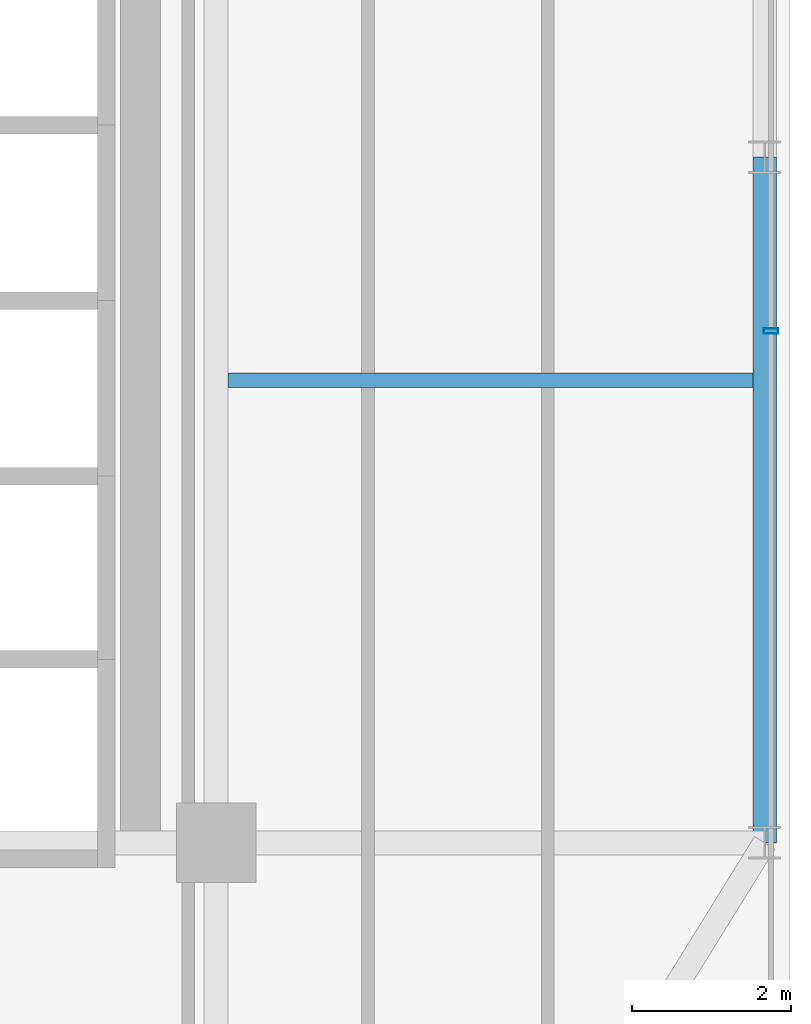
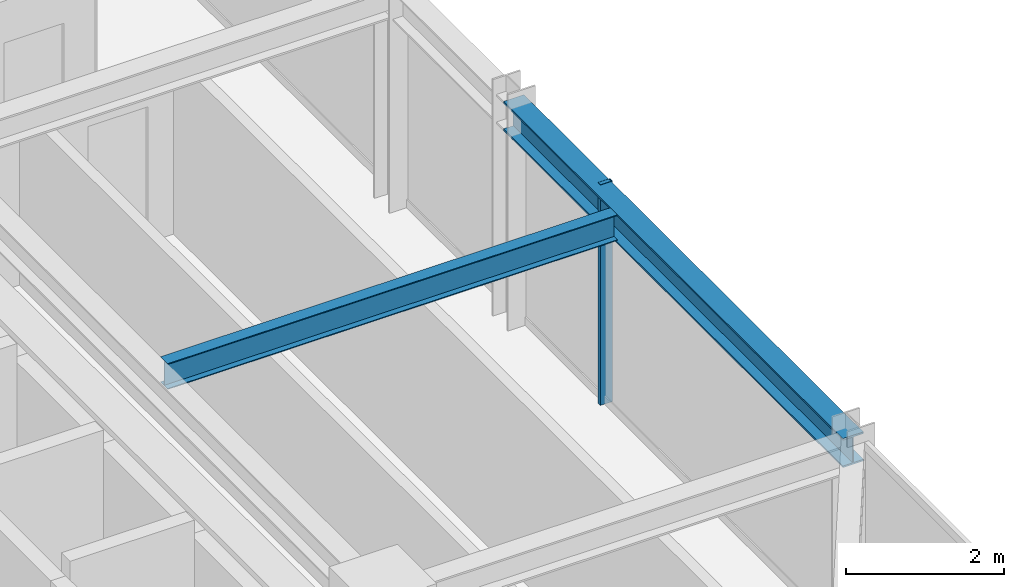
# One storey, part 15 of 36: 2 beams, 1 member, 1 element without a shape of its own.
"""IFC4 building model written with IfcOpenShell, lengths in metres."""

from ifc_helpers import new_model, si_unit, direction, frame, origin, origin_2d, place, context, subcontext, project, spatial, hollow_rectangle, i_section, extrude, source, transform, mapped, material, material_profile, profile_set, type_object, element, aggregate, save


model = new_model("IFC4")

# Units and contexts
model_context = context("Model", 3, precision=1e-05, world=origin(), true_north=direction((0.0, 1.0)))
body_context = subcontext(model_context, "Body", "Model", "MODEL_VIEW")
ifc_project = project(units=[si_unit("LENGTHUNIT", "METRE"), si_unit("AREAUNIT", "SQUARE_METRE"), si_unit("VOLUMEUNIT", "CUBIC_METRE"), si_unit("PLANEANGLEUNIT", "RADIAN"), si_unit("MASSUNIT", "GRAM", prefix="KILO")], contexts=[model_context])

# Site, building, storey
site_placement = place(None, origin())
site = spatial("IfcSite", under=ifc_project, at=site_placement, CompositionType="ELEMENT")
building_placement = place(site_placement, origin())
building = spatial("IfcBuilding", under=site, at=building_placement, Name="Nahalor Promenade Grand Hotel", CompositionType="ELEMENT")
storey_placement = place(building_placement, frame((0.0, 0.0, 212.300048828125)))
storey = spatial("IfcBuildingStorey", under=building, at=storey_placement, Name="L54", CompositionType="ELEMENT", Elevation=212.300048828125)

# Beams
ifc_material_1 = material(Name="Steel S355JR", Category="steel")
ifc_material_profile_1 = material_profile(ifc_material_1, i_section(OverallWidth=0.3, OverallDepth=0.45, WebThickness=0.014, FlangeThickness=0.026, at=origin_2d()), Name="HEB 450")
ifc_profile_set_1 = profile_set([ifc_material_profile_1], Name="Steel S355JR")
beam_type_1 = type_object("IfcBeamType", Name="Beam-Spandrel-HEB450", PredefinedType="SPANDREL", material=ifc_profile_set_1)
shared_shape_1 = source(origin(), body_context, "Body", "SweptSolid", [
    extrude(i_section(OverallWidth=0.3, OverallDepth=0.45, WebThickness=0.014, FlangeThickness=0.026, at=origin_2d()), origin(), (0.0, 0.0, 1.0), 8.60009765625),
])
beam_1_placement = place(storey_placement, frame((23.8798828125, -17.0, 3.18505859375), z_axis=(0.0, 1.0, 0.0), x_axis=(-1.0, 0.0, 0.0)))
element("IfcBeam", 1, at=beam_1_placement, inside=storey, type_object=beam_type_1, Name="BM-L54-SP-E-0", PredefinedType="SPANDREL", context=body_context, shape_type="MappedRepresentation", body=[
    mapped(shared_shape_1, transform((0.0, 0.0, 0.0), scale=1.0)),
])
ifc_material_profile_2 = material_profile(ifc_material_1, i_section(OverallWidth=0.18, OverallDepth=0.4, WebThickness=0.0086, FlangeThickness=0.0135, at=origin_2d()), Name="IPE 400")
ifc_profile_set_2 = profile_set([ifc_material_profile_2], Name="Steel S355JR")
beam_type_2 = type_object("IfcBeamType", Name="Beam-Joist-IPE400", PredefinedType="JOIST", material=ifc_profile_set_2)
shared_shape_2 = source(origin(), body_context, "Body", "SweptSolid", [
    extrude(i_section(OverallWidth=0.18, OverallDepth=0.4, WebThickness=0.0086, FlangeThickness=0.0135, at=origin_2d()), origin(), (0.0, 0.0, 1.0), 6.580078125),
])
beam_2_placement = place(storey_placement, frame((17.14990234375, -11.199951171875, 3.2099609375), z_axis=(1.0, 0.0, 0.0), x_axis=(0.0, 1.0, 0.0)))
element("IfcBeam", 2, at=beam_2_placement, inside=storey, type_object=beam_type_2, Name="BM-L54-JSE-0-2", PredefinedType="JOIST", context=body_context, shape_type="MappedRepresentation", body=[
    mapped(shared_shape_2, transform((0.0, 0.0, 0.0), scale=1.0)),
])

# Curtain wall, member
ifc_material_2 = material(Name="Anodised Bronze Aluminium EN AW-6063 T6", Category="aluminium")
curtain_wall_type = type_object("IfcCurtainWallType", Name="CW2 Typical Hotel Flush Bronze Unitised Curtain Wall", PredefinedType="USERDEFINED", material=ifc_material_2)
curtain_wall_placement = place(storey_placement, origin())
curtain_wall = element("IfcCurtainWall", 3, at=curtain_wall_placement, inside=storey, type_object=curtain_wall_type, Name="L54 Curtain Wall CW-L54-E-1", ObjectType="UNITISED_CURTAIN_WALL", PredefinedType="USERDEFINED")
ifc_material_profile_3 = material_profile(ifc_material_2, hollow_rectangle(XDim=0.065, YDim=0.18, WallThickness=0.004, at=origin_2d()), Name="CWM 65x180x4")
ifc_profile_set_3 = profile_set([ifc_material_profile_3], Name="Anodised Bronze Aluminium EN AW-6063 T6")
member_type = type_object("IfcMemberType", Name="CWM2 Typical Bronze Mullion 65x180", PredefinedType="MULLION", material=ifc_profile_set_3)
shared_shape_3 = source(origin(), body_context, "Body", "SweptSolid", [
    extrude(hollow_rectangle(XDim=0.065, YDim=0.18, WallThickness=0.004, at=origin_2d()), origin(), (0.0, 0.0, 1.0), 3.409912109375),
])
member_placement = place(storey_placement, frame((23.9599609375, -10.580078125, 0.0), z_axis=(0.0, 0.0, 1.0), x_axis=(0.0, 1.0, 0.0)))
member = element("IfcMember", 4, at=member_placement, type_object=member_type, Name="CW-L54-E-1 Mullion 1", PredefinedType="MULLION", context=body_context, shape_type="MappedRepresentation", body=[
    mapped(shared_shape_3, transform((0.0, 0.0, 0.0), scale=1.0)),
])
aggregate(curtain_wall, [member])

save(model, "model.ifc")
